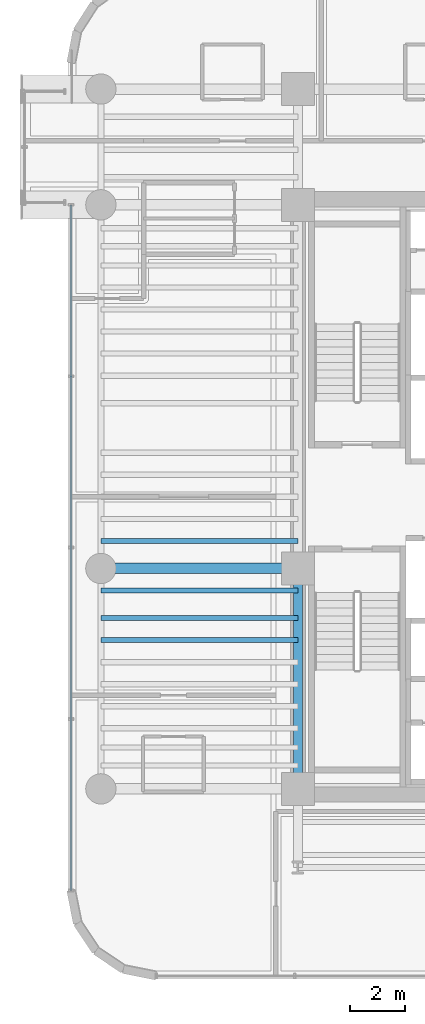
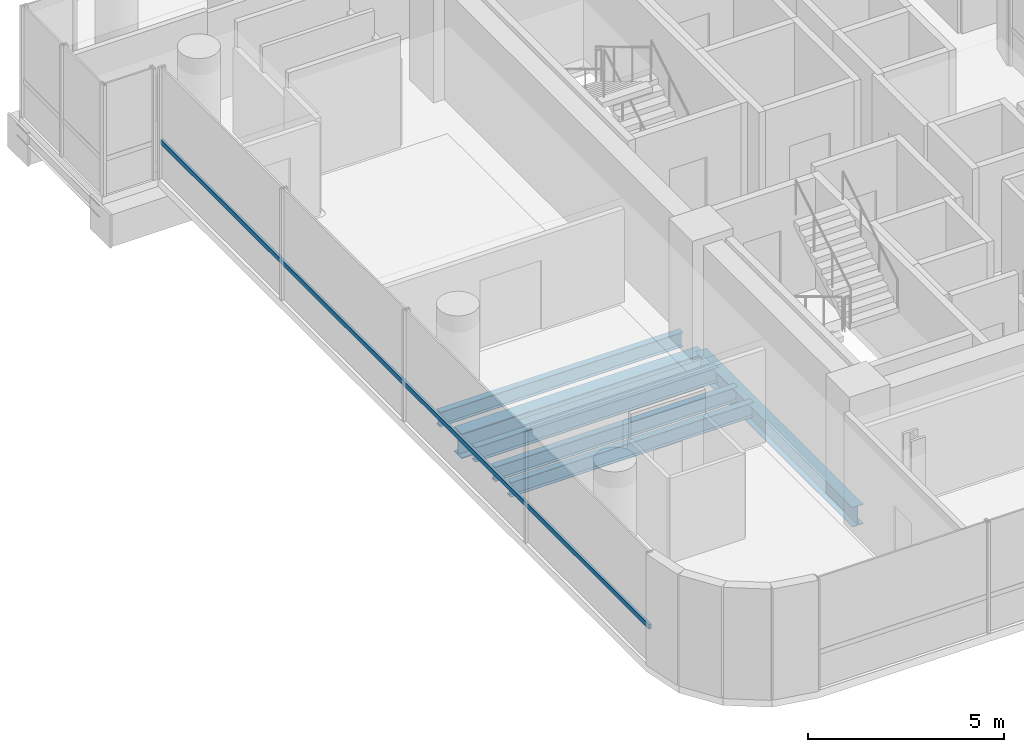
# One storey, part 5 of 36: 6 beams, 1 member, 1 element without a shape of its own.
"""IFC4 building model written with IfcOpenShell, lengths in metres."""

from ifc_helpers import new_model, si_unit, direction, frame, origin, origin_2d, place, context, subcontext, project, spatial, hollow_rectangle, i_section, extrude, source, transform, mapped, material, material_profile, profile_set, type_object, element, aggregate, save


model = new_model("IFC4")

# Units and contexts
model_context = context("Model", 3, precision=1e-05, world=origin(), true_north=direction((0.0, 1.0)))
body_context = subcontext(model_context, "Body", "Model", "MODEL_VIEW")
ifc_project = project(units=[si_unit("LENGTHUNIT", "METRE"), si_unit("AREAUNIT", "SQUARE_METRE"), si_unit("VOLUMEUNIT", "CUBIC_METRE"), si_unit("PLANEANGLEUNIT", "RADIAN"), si_unit("MASSUNIT", "GRAM", prefix="KILO")], contexts=[model_context])

# Site, building, storey
site_placement = place(None, origin())
site = spatial("IfcSite", under=ifc_project, at=site_placement, CompositionType="ELEMENT")
building_placement = place(site_placement, origin())
building = spatial("IfcBuilding", under=site, at=building_placement, Name="Valdorenza Pilgrim Sanctuary Tower", CompositionType="ELEMENT")
storey_placement = place(building_placement, frame((0.0, 0.0, 153.800048828125)))
storey = spatial("IfcBuildingStorey", under=building, at=storey_placement, Name="L39", CompositionType="ELEMENT", Elevation=153.800048828125)

# Beams
ifc_material_1 = material(Name="Steel ASTM A992 Grade 50", Category="steel")
ifc_material_profile_1 = material_profile(ifc_material_1, i_section(OverallWidth=0.323974609375, OverallDepth=0.611083984375, WebThickness=0.0126953125, FlangeThickness=0.01904296875, at=origin_2d()), Name="W24X104")
ifc_profile_set_1 = profile_set([ifc_material_profile_1], Name="Steel ASTM A992 Grade 50")
beam_type_1 = type_object("IfcBeamType", Name="STR-BM-GRD-W24B", PredefinedType="BEAM", material=ifc_profile_set_1)
shared_shape_1 = source(origin(), body_context, "Body", "SweptSolid", [
    extrude(i_section(OverallWidth=0.323974609375, OverallDepth=0.611083984375, WebThickness=0.0126953125, FlangeThickness=0.01904296875, at=origin_2d()), origin(), (0.0, 0.0, 1.0), 8.0),
])
beam_1_placement = place(storey_placement, frame((-22.64990234375, -10.60009765625, -0.545654296875), z_axis=(0.0, 1.0, 0.0), x_axis=(-1.0, 0.0, 0.0)))
element("IfcBeam", 1, at=beam_1_placement, inside=storey, type_object=beam_type_1, Name="L39 Core Tie Girder CA-W-S1M0", PredefinedType="BEAM", context=body_context, shape_type="MappedRepresentation", body=[
    mapped(shared_shape_1, transform((0.0, 0.0, 0.0), x_axis=(1.0, 0.0, 0.0), y_axis=(0.0, 1.0, 0.0), z_axis=(0.0, 0.0, 1.0), scale=1.0)),
])
ifc_material_profile_2 = material_profile(ifc_material_1, i_section(OverallWidth=0.382080078125, OverallDepth=0.779052734375, WebThickness=0.01806640625, FlangeThickness=0.030029296875, at=origin_2d()), Name="W30X191")
ifc_profile_set_2 = profile_set([ifc_material_profile_2], Name="Steel ASTM A992 Grade 50")
beam_type_2 = type_object("IfcBeamType", Name="STR-BM-GRD-W30", PredefinedType="BEAM", material=ifc_profile_set_2)
shared_shape_2 = source(origin(), body_context, "Body", "SweptSolid", [
    extrude(i_section(OverallWidth=0.382080078125, OverallDepth=0.779052734375, WebThickness=0.01806640625, FlangeThickness=0.030029296875, at=origin_2d()), origin(), (0.0, 0.0, 1.0), 7.150146484375),
])
beam_2_placement = place(storey_placement, frame((-29.800048828125, -2.60009765625, -0.629638671875), z_axis=(1.0, 0.0, 0.0), x_axis=(0.0, 1.0, 0.0)))
element("IfcBeam", 2, at=beam_2_placement, inside=storey, type_object=beam_type_2, Name="L39 Floor Girder WA-XW-M0", PredefinedType="BEAM", context=body_context, shape_type="MappedRepresentation", body=[
    mapped(shared_shape_2, transform((0.0, 0.0, 0.0), x_axis=(1.0, 0.0, 0.0), y_axis=(0.0, 1.0, 0.0), z_axis=(0.0, 0.0, 1.0), scale=1.0)),
])
ifc_material_profile_3 = material_profile(ifc_material_1, i_section(OverallWidth=0.19091796875, OverallDepth=0.45703125, WebThickness=0.009033203125, FlangeThickness=0.014404296875, at=origin_2d()), Name="W18X50")
ifc_profile_set_3 = profile_set([ifc_material_profile_3], Name="Steel ASTM A992 Grade 50")
beam_type_3 = type_object("IfcBeamType", Name="STR-BM-JST-W18B", PredefinedType="JOIST", material=ifc_profile_set_3)
shared_shape_3 = source(origin(), body_context, "Body", "SweptSolid", [
    extrude(i_section(OverallWidth=0.19091796875, OverallDepth=0.45703125, WebThickness=0.009033203125, FlangeThickness=0.014404296875, at=origin_2d()), origin(), (0.0, 0.0, 1.0), 7.150146484375),
])
for number, where, z_axis, x_axis, name in (
    (3, (-29.800048828125, -5.199951171875, -0.468505859375), (1.0, 0.0, 0.0), (0.0, 1.0, 0.0), "L39 Composite Floor Joist JST-WA-7"),
    (4, (-29.800048828125, -4.39990234375, -0.468505859375), (1.0, 0.0, 0.0), (0.0, 1.0, 0.0), "L39 Composite Floor Joist JST-WA-8"),
    (5, (-29.800048828125, -3.39990234375, -0.468505859375), (1.0, 0.0, 0.0), (0.0, 1.0, 0.0), "L39 Composite Floor Joist JST-WA-9"),
    (6, (-29.800048828125, -1.60009765625, -0.468505859375), (1.0, 0.0, 0.0), (0.0, 1.0, 0.0), "L39 Composite Floor Joist JST-WA-10"),
):
    element("IfcBeam", number, at=place(storey_placement, frame(where, z_axis=z_axis, x_axis=x_axis)), inside=storey, type_object=beam_type_3, Name=name, PredefinedType="JOIST", context=body_context, shape_type="MappedRepresentation", body=[
        mapped(shared_shape_3, transform((0.0, 0.0, 0.0), x_axis=(1.0, 0.0, 0.0), y_axis=(0.0, 1.0, 0.0), z_axis=(0.0, 0.0, 1.0), scale=1.0)),
    ])

# Curtain wall, member
ifc_material_2 = material(Name="Curtain-wall IGU glazing", Category="glass")
curtain_wall_type = type_object("IfcCurtainWallType", Name="CW-SYS-02", PredefinedType="NOTDEFINED", material=ifc_material_2)
curtain_wall_placement = place(storey_placement, origin())
curtain_wall = element("IfcCurtainWall", 7, at=curtain_wall_placement, inside=storey, type_object=curtain_wall_type, Name="L39 Curtain Wall CW-L39-1-1S1", PredefinedType="NOTDEFINED")
ifc_material_3 = material(Name="Anodised aluminium AW-6060", Category="aluminium")
ifc_material_profile_4 = material_profile(ifc_material_3, hollow_rectangle(XDim=0.074951171875, YDim=0.14990234375, WallThickness=0.00390625, at=origin_2d()), Name="ALU-T 150x75x4")
ifc_profile_set_4 = profile_set([ifc_material_profile_4], Name="Anodised aluminium AW-6060")
member_type = type_object("IfcMemberType", Name="CW-TRN-02", PredefinedType="USERDEFINED", material=ifc_profile_set_4)
shared_shape_4 = source(origin(), body_context, "Body", "SweptSolid", [
    extrude(hollow_rectangle(XDim=0.074951171875, YDim=0.14990234375, WallThickness=0.00390625, at=origin_2d()), origin(), (0.0, 0.0, 1.0), 24.889404296875),
])
member_placement = place(storey_placement, frame((-30.889892578125, -14.289306640625, 1.119873046875), z_axis=(0.0, 1.0, 0.0), x_axis=(-1.0, 0.0, 0.0)))
member = element("IfcMember", 8, at=member_placement, type_object=member_type, Name="CW-L39-1-1S1 Transom 1", ObjectType="TRANSOM", PredefinedType="USERDEFINED", context=body_context, shape_type="MappedRepresentation", body=[
    mapped(shared_shape_4, transform((0.0, 0.0, 0.0), x_axis=(1.0, 0.0, 0.0), y_axis=(0.0, 1.0, 0.0), z_axis=(0.0, 0.0, 1.0), scale=1.0)),
])
aggregate(curtain_wall, [member])

save(model, "model.ifc")
